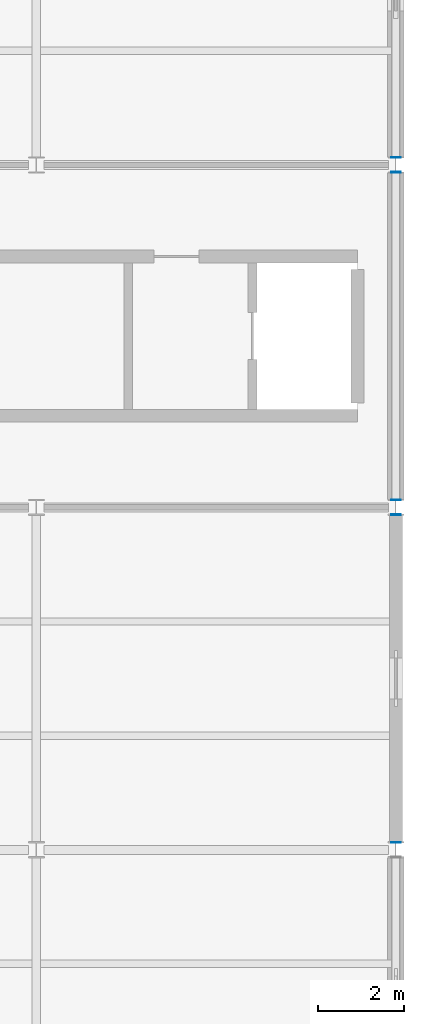
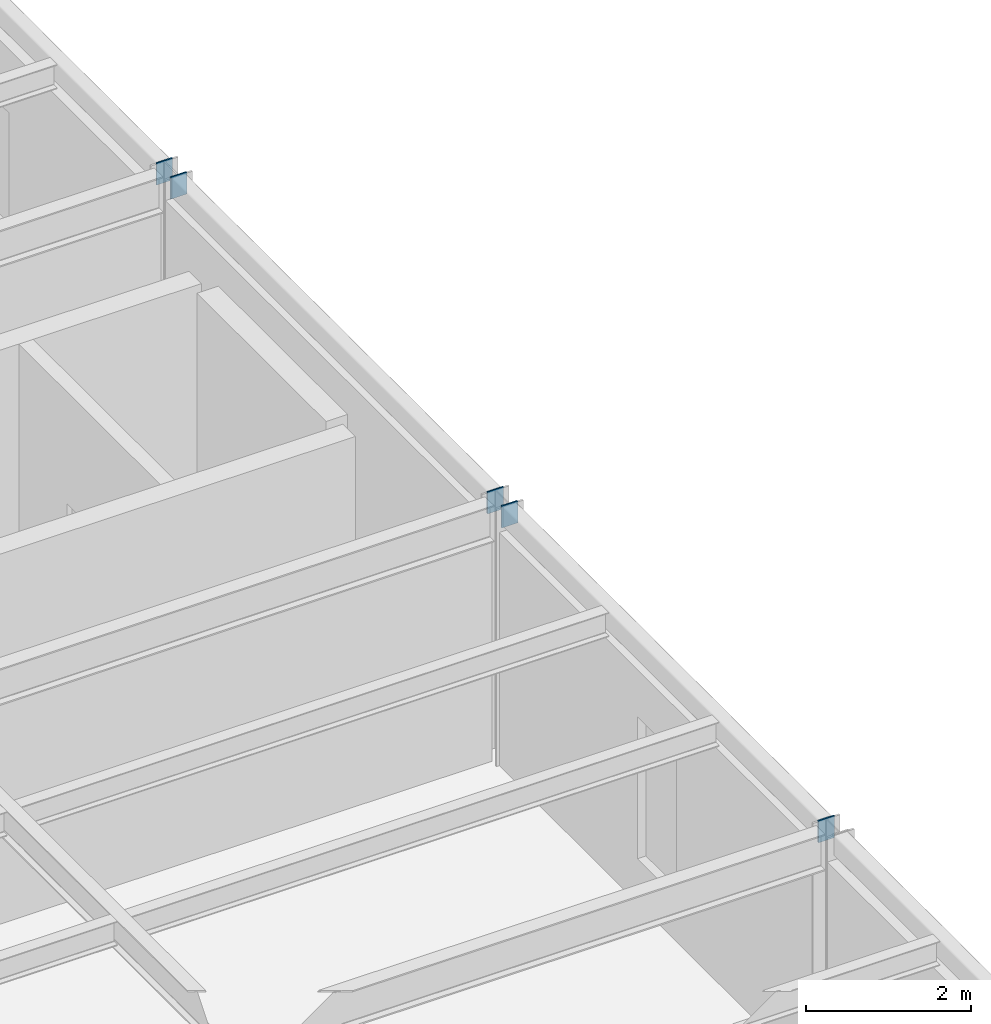
# One storey, part 124 of 138: 5 discrete accessories.
"""IFC4 building model written with IfcOpenShell, lengths in metres."""

import ifcopenshell
import ifcopenshell.guid

model = None  # the IFC model being written
_history = None  # IfcOwnerHistory: only IFC2X3 demands one
_inside = {}  # id of a spatial element -> (the spatial element, [elements in it])
_under = {}  # id of a project, library or spatial element -> (it, [spatial elements below it])
_declared = {}  # id of a project -> (the project, [libraries it declares])
_typed = {}  # id of a type object -> (the type object, [elements of that type])
_made_of = {}  # id of a material, layer set ... -> (it, [elements and type objects made of it])


def new_model(schema):
    """Start an empty IFC model of exactly this schema.

    Asked for "IFC4X3", IfcOpenShell would pick the latest addendum, in which some entities
    have other attributes; the version numbers below select the first issue.
    IFC2X3 requires an IfcOwnerHistory on every rooted entity: one is made here for all.
    """
    global model, _history
    if schema == "IFC4X3":
        model = ifcopenshell.file(schema_version=(4, 3, 0, 0))
    else:
        model = ifcopenshell.file(schema=schema)
    _inside.clear()
    _under.clear()
    _declared.clear()
    _typed.clear()
    _made_of.clear()
    _history = None
    if model.schema == "IFC2X3":
        org = make("IfcOrganization", Name="unknown")
        user = make(
            "IfcPersonAndOrganization",
            ThePerson=make("IfcPerson", FamilyName="unknown"),
            TheOrganization=org,
        )
        app = make(
            "IfcApplication",
            ApplicationDeveloper=org,
            Version="unknown",
            ApplicationFullName="unknown",
            ApplicationIdentifier="unknown",
        )
        _history = make(
            "IfcOwnerHistory",
            OwningUser=user,
            OwningApplication=app,
            ChangeAction="ADDED",
            CreationDate=0,
        )
    return model


def make(cls, **values):
    """One entity of the class cls with the attributes given. An attribute that is None is left unset."""
    return model.create_entity(
        cls, **{name: value for name, value in values.items() if value is not None}
    )


def rooted(cls, **values):
    """An entity with a GlobalId (a new one), such as an element, a storey or a relation."""
    return make(cls, GlobalId=ifcopenshell.guid.new(), OwnerHistory=_history, **values)


def si_unit(unit_type, name, prefix=None):
    """IfcSIUnit, for example si_unit("LENGTHUNIT", "METRE", prefix="MILLI")."""
    return make("IfcSIUnit", UnitType=unit_type, Prefix=prefix, Name=name)


def assignment(units):
    """IfcUnitAssignment: the units of a project."""
    return None if units is None else make("IfcUnitAssignment", Units=units)


def point(xyz):
    """IfcCartesianPoint."""
    return None if xyz is None else make("IfcCartesianPoint", Coordinates=xyz)


def direction(xyz):
    """IfcDirection."""
    return None if xyz is None else make("IfcDirection", DirectionRatios=xyz)


def frame(location, z_axis=None, x_axis=None):
    """IfcAxis2Placement3D, a coordinate frame: its origin and axes. An axis left out is left unset."""
    return make(
        "IfcAxis2Placement3D",
        Location=point(location),
        Axis=direction(z_axis),
        RefDirection=direction(x_axis),
    )


def frame_2d(location, x_axis=None):
    """IfcAxis2Placement2D, a coordinate frame in the plane: its origin and x axis."""
    return make(
        "IfcAxis2Placement2D", Location=point(location), RefDirection=direction(x_axis)
    )


def origin():
    """The frame at (0, 0, 0) with its axes left unset."""
    return frame((0.0, 0.0, 0.0))


def origin_2d():
    """The frame at (0, 0) in the plane with its x axis left unset."""
    return frame_2d((0.0, 0.0))


def place(relative_to, where):
    """IfcLocalPlacement: puts the frame where relative to a parent placement (None: the world)."""
    return make(
        "IfcLocalPlacement", PlacementRelTo=relative_to, RelativePlacement=where
    )


def context(
    kind, dimensions, precision=None, world=None, true_north=None, identifier=None
):
    """IfcGeometricRepresentationContext, for example the 3D "Model" context."""
    return make(
        "IfcGeometricRepresentationContext",
        ContextIdentifier=identifier,
        ContextType=kind,
        CoordinateSpaceDimension=dimensions,
        Precision=precision,
        WorldCoordinateSystem=world,
        TrueNorth=true_north,
    )


def subcontext(parent, identifier, kind, view, scale=None):
    """IfcGeometricRepresentationSubContext, for example "Body" below "Model"."""
    return make(
        "IfcGeometricRepresentationSubContext",
        ContextIdentifier=identifier,
        ContextType=kind,
        ParentContext=parent,
        TargetScale=scale,
        TargetView=view,
    )


def project(units=None, contexts=None):
    """IfcProject with its units and contexts."""
    return rooted(
        "IfcProject",
        Name="project",
        RepresentationContexts=contexts,
        UnitsInContext=assignment(units),
    )


def spatial(cls, under=None, at=None, **own):
    """A site, building, storey or space (cls), placed at a placement, below another one or the project."""
    s = rooted(cls, ObjectPlacement=at, **own)
    if under is not None:
        _under.setdefault(under.id(), (under, []))[1].append(s)
    return s


def profile(cls, at=None, kind="AREA", **sizes):
    """A parametric profile (cls). Its sizes go by their IFC names, for example OverallWidth=200.0."""
    return make(cls, ProfileType=kind, Position=at, **sizes)


def rectangle(**sizes):
    """IfcRectangleProfileDef."""
    return profile("IfcRectangleProfileDef", **sizes)


def extrude(swept, where, along, depth):
    """IfcExtrudedAreaSolid: the profile swept, set in the frame where, extruded along a direction by depth."""
    return make(
        "IfcExtrudedAreaSolid",
        SweptArea=swept,
        Position=where,
        ExtrudedDirection=direction(along),
        Depth=depth,
    )


def shape(context_of_items, identifier, shape_type, items):
    """IfcShapeRepresentation: the items that make up one representation, for example the "Body"."""
    return make(
        "IfcShapeRepresentation",
        ContextOfItems=context_of_items,
        RepresentationIdentifier=identifier,
        RepresentationType=shape_type,
        Items=items,
    )


def material(Name=None, Category=None):
    """IfcMaterial."""
    return make("IfcMaterial", Name=Name, Category=Category)


def layer(
    of_material, thickness, ventilated=None, Name=None, Category=None, Priority=None
):
    """IfcMaterialLayer: one layer of a wall or slab, of a material (None: an air gap)."""
    return make(
        "IfcMaterialLayer",
        Material=of_material,
        LayerThickness=thickness,
        IsVentilated=ventilated,
        Name=Name,
        Category=Category,
        Priority=Priority,
    )


def layer_set(layers, Name=None):
    """IfcMaterialLayerSet."""
    return make("IfcMaterialLayerSet", MaterialLayers=layers, LayerSetName=Name)


def made_of(thing, what):
    """Note that an element or type object is made of a material, layer set ...; save() writes the relation."""
    if what is not None:
        _made_of.setdefault(what.id(), (what, []))[1].append(thing)
    return thing


def type_object(cls, material=None, **own):
    """A type object (cls), such as IfcWallType, which elements share."""
    return made_of(rooted(cls, **own), material)


def element(
    cls,
    number,
    at=None,
    inside=None,
    cuts=None,
    type_object=None,
    material=None,
    context=None,
    identifier="Body",
    shape_type=None,
    held_by="IfcProductDefinitionShape",
    body=None,
    shapes=None,
    **own,
):
    """One element of the class cls, such as IfcWall. Its Tag is "e" and its number.

    at: its placement. inside: the storey or other place that contains it. cuts: it is an
    opening in that element (IfcRelVoidsElement). A single representation is given by context,
    identifier, shape_type and body (its items); several are given by shapes. held_by: the class
    of the entity that holds the representations. save() writes the other relations.
    """
    e = rooted(cls, Tag="e%d" % number, ObjectPlacement=at, **own)
    if body is not None:
        shapes = [shape(context, identifier, shape_type, body)]
    if shapes is not None:
        e.Representation = make(held_by, Representations=shapes)
    if inside is not None:
        _inside.setdefault(inside.id(), (inside, []))[1].append(e)
    if cuts is not None:
        rooted(
            "IfcRelVoidsElement", RelatingBuildingElement=cuts, RelatedOpeningElement=e
        )
    if type_object is not None:
        _typed.setdefault(type_object.id(), (type_object, []))[1].append(e)
    return made_of(e, material)


def aggregate(whole, parts):
    """IfcRelAggregates: a whole, such as a stair, and the parts it consists of."""
    return rooted("IfcRelAggregates", RelatingObject=whole, RelatedObjects=parts)


def save(model, path):
    """Write the relations noted so far, then the file.

    IfcRelAggregates (storeys below a building ...), IfcRelContainedInSpatialStructure (elements
    in a storey), IfcRelDefinesByType, IfcRelAssociatesMaterial and IfcRelDeclares: one each for
    every whole, place, type object, material and project.
    """
    for whole, parts in _under.values():
        aggregate(whole, parts)
    for where, things in _inside.values():
        rooted(
            "IfcRelContainedInSpatialStructure",
            RelatedElements=things,
            RelatingStructure=where,
        )
    for kind, things in _typed.values():
        rooted("IfcRelDefinesByType", RelatedObjects=things, RelatingType=kind)
    for what, things in _made_of.values():
        rooted("IfcRelAssociatesMaterial", RelatedObjects=things, RelatingMaterial=what)
    for by, libraries in _declared.values():
        rooted("IfcRelDeclares", RelatingContext=by, RelatedDefinitions=libraries)
    model.write(path)


model = new_model("IFC4")

# Units and contexts
model_context = context("Model", 3, precision=1e-05, world=origin(), true_north=direction((0.0, 1.0)))
body_context = subcontext(model_context, "Body", "Model", "MODEL_VIEW")
ifc_project = project(units=[si_unit("LENGTHUNIT", "METRE"), si_unit("AREAUNIT", "SQUARE_METRE"), si_unit("VOLUMEUNIT", "CUBIC_METRE"), si_unit("PLANEANGLEUNIT", "RADIAN"), si_unit("MASSUNIT", "GRAM", prefix="KILO")], contexts=[model_context])

# Site, building, storey
site_placement = place(None, origin())
site = spatial("IfcSite", under=ifc_project, at=site_placement, CompositionType="ELEMENT")
building_placement = place(site_placement, origin())
building = spatial("IfcBuilding", under=site, at=building_placement, Name="Kranzveld Transit Interchange", CompositionType="ELEMENT")
storey_placement = place(building_placement, frame((0.0, 0.0, 5.43994140625)))
storey = spatial("IfcBuildingStorey", under=building, at=storey_placement, Name="L01", CompositionType="ELEMENT", Elevation=5.43994140625)

# Discrete accessories
ifc_material = material(Name="Steel S355JR", Category="steel")
ifc_layer = layer(ifc_material, 0.02001953125)
ifc_layer_set = layer_set([ifc_layer], Name="Steel S355JR")
discrete_accessory_type = type_object("IfcDiscreteAccessoryType", Name="Hollow Section End Cap Bracket 20 S355JR", PredefinedType="BRACKET", material=ifc_layer_set)
for number, where, z_axis, x_axis, name in (
    (1, (168.0, 64.181396484375, 3.650146484375), (0.0, -1.0, 0.0), (1.0, 0.0, 0.0), "Hollow Section End Cap SP-RHS300-1"),
    (2, (168.0, 71.818603515625, 3.650146484375), (0.0, 1.0, 0.0), (-1.0, 0.0, 0.0), "Hollow Section End Cap SP-RHS300-2"),
    (3, (168.0, 72.181396484375, 3.650146484375), (0.0, -1.0, 0.0), (1.0, 0.0, 0.0), "Hollow Section End Cap SP-RHS300-1"),
    (4, (168.0, 79.818603515625, 3.650146484375), (0.0, 1.0, 0.0), (-1.0, 0.0, 0.0), "Hollow Section End Cap SP-RHS300-2"),
    (5, (168.0, 80.181396484375, 3.650146484375), (0.0, -1.0, 0.0), (1.0, 0.0, 0.0), "Hollow Section End Cap SP-RHS300-1"),
):
    element("IfcDiscreteAccessory", number, at=place(storey_placement, frame(where, z_axis=z_axis, x_axis=x_axis)), inside=storey, type_object=discrete_accessory_type, Name=name, PredefinedType="BRACKET", context=body_context, shape_type="SweptSolid", body=[
        extrude(rectangle(XDim=0.22412109375, YDim=0.323974609375, at=origin_2d()), origin(), (0.0, 0.0, 1.0), 0.02001953125),
    ])

save(model, "model.ifc")
